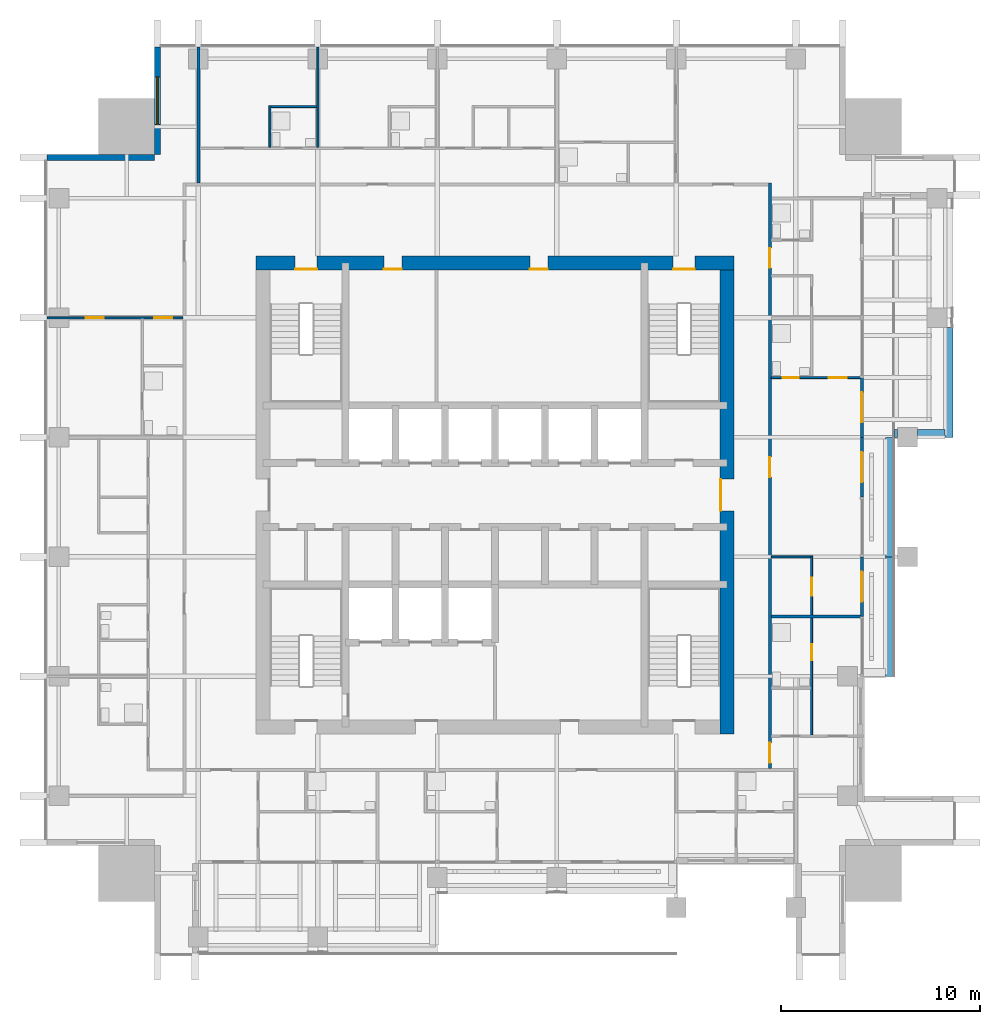
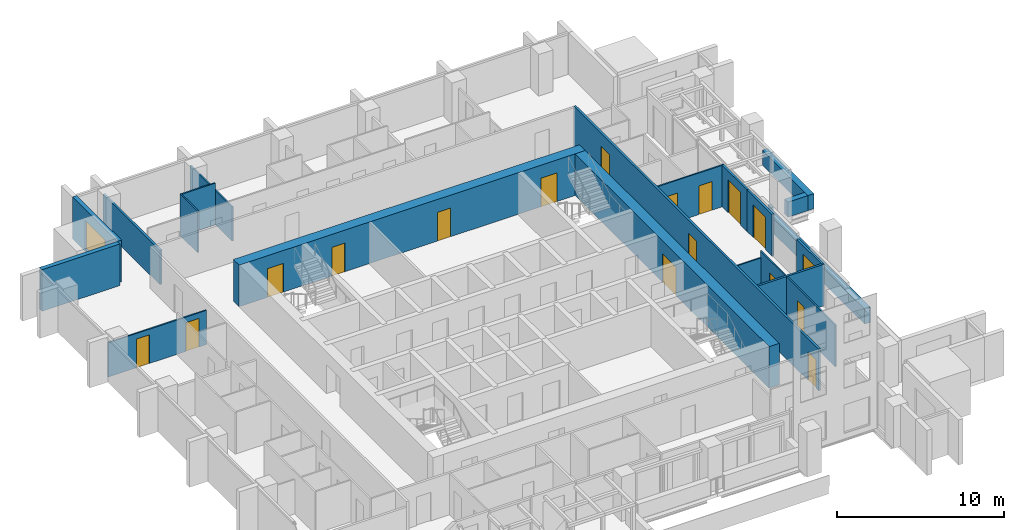
# One storey, part 11 of 16: 22 walls, 17 doors, 1 window, 18 openings.
"""IFC4 building model written with IfcOpenShell, lengths in metres."""

from ifc_helpers import new_model, si_unit, direction, frame, frame_2d, origin, place, context, subcontext, project, spatial, rectangle, extrude, material, layer, layer_set, type_object, element, fill, save


model = new_model("IFC4")

# Units and contexts
model_context = context("Model", 3, precision=1e-05, world=origin(), true_north=direction((0.0, 1.0)))
body_context = subcontext(model_context, "Body", "Model", "MODEL_VIEW")
ifc_project = project(units=[si_unit("LENGTHUNIT", "METRE"), si_unit("AREAUNIT", "SQUARE_METRE"), si_unit("VOLUMEUNIT", "CUBIC_METRE"), si_unit("PLANEANGLEUNIT", "RADIAN"), si_unit("MASSUNIT", "GRAM", prefix="KILO")], contexts=[model_context])

# Site, building, storey
site_placement = place(None, origin())
site = spatial("IfcSite", under=ifc_project, at=site_placement, CompositionType="ELEMENT")
building_placement = place(site_placement, origin())
building = spatial("IfcBuilding", under=site, at=building_placement, Name="Amberfall Residences", CompositionType="ELEMENT")
storey_placement = place(building_placement, frame((0.0, 0.0, 164.800048828125)))
storey = spatial("IfcBuildingStorey", under=building, at=storey_placement, Name="L44", CompositionType="ELEMENT", Elevation=164.800048828125)

# Wall, opening, window
ifc_material_1 = material(Name="Pale stone cladding on insulated backing", Category="masonry")
ifc_layer_1 = layer(ifc_material_1, 0.300048828125)
ifc_layer_set_1 = layer_set([ifc_layer_1], Name="Bronze clad wall 300")
wall_type_1 = type_object("IfcWallType", Name="Bronze clad wall 300", PredefinedType="SOLIDWALL", material=ifc_layer_set_1)
wall_1_placement = place(storey_placement, frame((57.550048828125, 68.0, 0.0), z_axis=(0.0, 0.0, 1.0), x_axis=(0.0, -1.0, 0.0)))
wall_1 = element("IfcWall", 1, at=wall_1_placement, inside=storey, type_object=wall_type_1, Name="External wall L44 NW", PredefinedType="SOLIDWALL", context=body_context, shape_type="SweptSolid", body=[
    extrude(rectangle(XDim=5.39990234375, YDim=0.300048828125, at=frame_2d((2.699951171875, 0.0))), origin(), (0.0, 0.0, 1.0), 3.050048828125),
])
opening_1_placement = place(wall_1_placement, frame((1.5, 0.0, 0.14990234375)))
opening_1 = element("IfcOpeningElement", 2, at=opening_1_placement, cuts=wall_1, Name="Opening WN5", PredefinedType="OPENING", context=body_context, shape_type="SweptSolid", body=[
    extrude(rectangle(XDim=2.39990234375, YDim=2.10009765625, at=frame_2d((1.199951171875, 1.050048828125))), frame((0.0, 0.159912109375, 0.0), z_axis=(0.0, -1.0, 0.0), x_axis=(1.0, 0.0, 0.0)), (0.0, 0.0, 1.0), 0.320068359375),
])
ifc_material_2 = material(Name="Bronze aluminium framed glazing", Category="aluminium")
window_type = type_object("IfcWindowType", Name="Glazed opening 2400 x 2100 bronze", PartitioningType="DOUBLE_PANEL_VERTICAL", PredefinedType="WINDOW", material=ifc_material_2)
window_placement = place(opening_1_placement, origin())
window = element("IfcWindow", 3, at=window_placement, inside=storey, type_object=window_type, Name="Window L44 NW", OverallHeight=2.10009765625, OverallWidth=2.39990234375, PartitioningType="DOUBLE_PANEL_VERTICAL", PredefinedType="WINDOW", context=body_context, shape_type="SweptSolid", body=[
    extrude(rectangle(XDim=2.39990234375, YDim=2.10009765625, at=frame_2d((1.199951171875, 1.050048828125))), frame((0.0, 0.030029296875, 0.0), z_axis=(0.0, -1.0, 0.0), x_axis=(1.0, 0.0, 0.0)), (0.0, 0.0, 1.0), 0.06005859375),
])
fill(opening_1, window)

# Wall
wall_2_placement = place(storey_placement, frame((57.39990234375, 62.449951171875, 0.0), z_axis=(0.0, 0.0, 1.0), x_axis=(-1.0, 0.0, 0.0)))
element("IfcWall", 4, at=wall_2_placement, inside=storey, type_object=wall_type_1, Name="External wall L44 NW", PredefinedType="SOLIDWALL", context=body_context, shape_type="SweptSolid", body=[
    extrude(rectangle(XDim=5.39990234375, YDim=0.300048828125, at=frame_2d((2.699951171875, 0.0))), origin(), (0.0, 0.0, 1.0), 3.050048828125),
])

# Wall, openings, doors
ifc_material_3 = material(Name="Concrete C60", Category="concrete")
ifc_layer_2 = layer(ifc_material_3, 0.699951171875)
ifc_layer_set_2 = layer_set([ifc_layer_2], Name="Core wall 700 C60")
wall_type_2 = type_object("IfcWallType", Name="Core wall 700 C60", PredefinedType="SHEAR", material=ifc_layer_set_2)
wall_3_placement = place(storey_placement, frame((62.5, 57.14990234375, 0.0), z_axis=(0.0, 0.0, 1.0), x_axis=(1.0, 0.0, 0.0)))
wall_3 = element("IfcWall", 5, at=wall_3_placement, inside=storey, type_object=wall_type_2, Name="Core wall RW5 L44 ON", PredefinedType="SHEAR", context=body_context, shape_type="SweptSolid", body=[
    extrude(rectangle(XDim=24.0, YDim=0.699951171875, at=frame_2d((12.0, 0.0))), origin(), (0.0, 0.0, 1.0), 3.050048828125),
])
opening_2_placement = place(wall_3_placement, frame((20.9375, 0.0, 0.0)))
opening_2 = element("IfcOpeningElement", 6, at=opening_2_placement, cuts=wall_3, Name="Opening SD1", PredefinedType="OPENING", context=body_context, shape_type="SweptSolid", body=[
    extrude(rectangle(XDim=1.10009765625, YDim=2.10009765625, at=frame_2d((0.550048828125, 1.050048828125))), frame((0.0, 0.35986328125, 0.0), z_axis=(0.0, -1.0, 0.0), x_axis=(1.0, 0.0, 0.0)), (0.0, 0.0, 1.0), 0.719970703125),
])
opening_3_placement = place(wall_3_placement, frame((1.96240234375, 0.0, 0.0)))
opening_3 = element("IfcOpeningElement", 7, at=opening_3_placement, cuts=wall_3, Name="Opening SD1", PredefinedType="OPENING", context=body_context, shape_type="SweptSolid", body=[
    extrude(rectangle(XDim=1.10009765625, YDim=2.10009765625, at=frame_2d((0.550048828125, 1.050048828125))), frame((0.0, 0.35986328125, 0.0), z_axis=(0.0, -1.0, 0.0), x_axis=(1.0, 0.0, 0.0)), (0.0, 0.0, 1.0), 0.719970703125),
])
opening_4_placement = place(wall_3_placement, frame((6.422607421875, 0.0, 0.0)))
opening_4 = element("IfcOpeningElement", 8, at=opening_4_placement, cuts=wall_3, Name="Opening RD1", PredefinedType="OPENING", context=body_context, shape_type="SweptSolid", body=[
    extrude(rectangle(XDim=0.89990234375, YDim=2.10009765625, at=frame_2d((0.449951171875, 1.050048828125))), frame((0.0, 0.35986328125, 0.0), z_axis=(0.0, -1.0, 0.0), x_axis=(1.0, 0.0, 0.0)), (0.0, 0.0, 1.0), 0.719970703125),
])
opening_5_placement = place(wall_3_placement, frame((13.74755859375, 0.0, 0.0)))
opening_5 = element("IfcOpeningElement", 9, at=opening_5_placement, cuts=wall_3, Name="Opening RD1", PredefinedType="OPENING", context=body_context, shape_type="SweptSolid", body=[
    extrude(rectangle(XDim=0.89990234375, YDim=2.10009765625, at=frame_2d((0.449951171875, 1.050048828125))), frame((0.0, 0.35986328125, 0.0), z_axis=(0.0, -1.0, 0.0), x_axis=(1.0, 0.0, 0.0)), (0.0, 0.0, 1.0), 0.719970703125),
])
ifc_material_4 = material(Name="Steel fire door set", Category="steel")
door_type_1 = type_object("IfcDoorType", Name="Service room door 900 x 2100", OperationType="SINGLE_SWING_LEFT", PredefinedType="DOOR", material=ifc_material_4)
door_1_placement = place(opening_4_placement, origin())
door_1 = element("IfcDoor", 10, at=door_1_placement, inside=storey, type_object=door_type_1, Name="RD1 L44", OperationType="SINGLE_SWING_RIGHT", OverallHeight=2.10009765625, OverallWidth=0.89990234375, PredefinedType="DOOR", context=body_context, shape_type="SweptSolid", body=[
    extrude(rectangle(XDim=0.89990234375, YDim=2.10009765625, at=frame_2d((0.449951171875, 1.050048828125))), frame((0.0, -0.28759765625, 0.0), z_axis=(0.0, -1.0, 0.0), x_axis=(1.0, 0.0, 0.0)), (0.0, 0.0, 1.0), 0.050048828125),
])
fill(opening_4, door_1)
door_2_placement = place(opening_5_placement, origin())
door_2 = element("IfcDoor", 11, at=door_2_placement, inside=storey, type_object=door_type_1, Name="RD1 L44", OperationType="SINGLE_SWING_RIGHT", OverallHeight=2.10009765625, OverallWidth=0.89990234375, PredefinedType="DOOR", context=body_context, shape_type="SweptSolid", body=[
    extrude(rectangle(XDim=0.89990234375, YDim=2.10009765625, at=frame_2d((0.449951171875, 1.050048828125))), frame((0.0, -0.28759765625, 0.0), z_axis=(0.0, -1.0, 0.0), x_axis=(1.0, 0.0, 0.0)), (0.0, 0.0, 1.0), 0.050048828125),
])
fill(opening_5, door_2)
door_type_2 = type_object("IfcDoorType", Name="Stair door 1100 x 2100", OperationType="SINGLE_SWING_LEFT", PredefinedType="DOOR", material=ifc_material_4)
door_3_placement = place(opening_2_placement, origin())
door_3 = element("IfcDoor", 12, at=door_3_placement, inside=storey, type_object=door_type_2, Name="SD1 L44", OperationType="SINGLE_SWING_RIGHT", OverallHeight=2.10009765625, OverallWidth=1.10009765625, PredefinedType="DOOR", context=body_context, shape_type="SweptSolid", body=[
    extrude(rectangle(XDim=1.10009765625, YDim=2.10009765625, at=frame_2d((0.550048828125, 1.050048828125))), frame((0.0, -0.28759765625, 0.0), z_axis=(0.0, -1.0, 0.0), x_axis=(1.0, 0.0, 0.0)), (0.0, 0.0, 1.0), 0.050048828125),
])
fill(opening_2, door_3)
door_4_placement = place(opening_3_placement, origin())
door_4 = element("IfcDoor", 13, at=door_4_placement, inside=storey, type_object=door_type_2, Name="SD1 L44", OperationType="SINGLE_SWING_LEFT", OverallHeight=2.10009765625, OverallWidth=1.10009765625, PredefinedType="DOOR", context=body_context, shape_type="SweptSolid", body=[
    extrude(rectangle(XDim=1.10009765625, YDim=2.10009765625, at=frame_2d((0.550048828125, 1.050048828125))), frame((0.0, -0.28759765625, 0.0), z_axis=(0.0, -1.0, 0.0), x_axis=(1.0, 0.0, 0.0)), (0.0, 0.0, 1.0), 0.050048828125),
])
fill(opening_3, door_4)

# Wall, opening, door
wall_4_placement = place(storey_placement, frame((86.14990234375, 33.5, 0.0), z_axis=(0.0, 0.0, 1.0), x_axis=(0.0, 1.0, 0.0)))
wall_4 = element("IfcWall", 14, at=wall_4_placement, inside=storey, type_object=wall_type_2, Name="Core wall RW5 L44 OE", PredefinedType="SHEAR", context=body_context, shape_type="SweptSolid", body=[
    extrude(rectangle(XDim=24.0, YDim=0.699951171875, at=frame_2d((12.0, 0.0))), origin(), (0.0, 0.0, 1.0), 3.050048828125),
])
opening_6_placement = place(wall_4_placement, frame((11.199951171875, 0.0, 0.0)))
opening_6 = element("IfcOpeningElement", 15, at=opening_6_placement, cuts=wall_4, Name="Opening LB1", PredefinedType="OPENING", context=body_context, shape_type="SweptSolid", body=[
    extrude(rectangle(XDim=1.60009765625, YDim=2.10009765625, at=frame_2d((0.800048828125, 1.050048828125))), frame((0.0, 0.35986328125, 0.0), z_axis=(0.0, -1.0, 0.0), x_axis=(1.0, 0.0, 0.0)), (0.0, 0.0, 1.0), 0.719970703125),
])
door_type_3 = type_object("IfcDoorType", Name="Lift lobby double door 1600 x 2100", OperationType="DOUBLE_DOOR_SINGLE_SWING", PredefinedType="DOOR", material=ifc_material_4)
door_5_placement = place(opening_6_placement, origin())
door_5 = element("IfcDoor", 16, at=door_5_placement, inside=storey, type_object=door_type_3, Name="LB1 L44", OperationType="DOUBLE_DOOR_SINGLE_SWING", OverallHeight=2.10009765625, OverallWidth=1.60009765625, PredefinedType="DOOR", context=body_context, shape_type="SweptSolid", body=[
    extrude(rectangle(XDim=1.60009765625, YDim=2.10009765625, at=frame_2d((0.800048828125, 1.050048828125))), frame((0.0, 0.33740234375, 0.0), z_axis=(0.0, -1.0, 0.0), x_axis=(1.0, 0.0, 0.0)), (0.0, 0.0, 1.0), 0.050048828125),
])
fill(opening_6, door_5)

# Walls
ifc_material_5 = material(Name="Gypsum board on metal stud")
ifc_layer_3 = layer(ifc_material_5, 0.10009765625)
ifc_layer_set_3 = layer_set([ifc_layer_3], Name="Flat partition 100")
wall_type_3 = type_object("IfcWallType", Name="Flat partition 100", PredefinedType="PARTITIONING", material=ifc_layer_set_3)
wall_5_placement = place(storey_placement, frame((63.199951171875, 62.949951171875, 0.0), z_axis=(0.0, 0.0, 1.0), x_axis=(0.0, 1.0, 0.0)))
element("IfcWall", 17, at=wall_5_placement, inside=storey, type_object=wall_type_3, Name="Partition 006", PredefinedType="PARTITIONING", context=body_context, shape_type="SweptSolid", body=[
    extrude(rectangle(XDim=2.10009765625, YDim=0.10009765625, at=frame_2d((1.050048828125, 0.0))), origin(), (0.0, 0.0, 1.0), 3.050048828125),
])
wall_6_placement = place(storey_placement, frame((65.60009765625, 62.949951171875, 0.0), z_axis=(0.0, 0.0, 1.0), x_axis=(0.0, 1.0, 0.0)))
element("IfcWall", 18, at=wall_6_placement, inside=storey, type_object=wall_type_3, Name="Partition 008", PredefinedType="PARTITIONING", context=body_context, shape_type="SweptSolid", body=[
    extrude(rectangle(XDim=5.050048828125, YDim=0.10009765625, at=frame_2d((2.52490234375, 0.0))), origin(), (0.0, 0.0, 1.0), 2.515869140625),
])

# Wall, openings, doors
wall_7_placement = place(storey_placement, frame((90.39990234375, 33.449951171875, 0.0), z_axis=(0.0, 0.0, 1.0), x_axis=(0.0, 1.0, 0.0)))
wall_7 = element("IfcWall", 19, at=wall_7_placement, inside=storey, type_object=wall_type_3, Name="Partition 019", PredefinedType="PARTITIONING", context=body_context, shape_type="SweptSolid", body=[
    extrude(rectangle(XDim=9.0, YDim=0.10009765625, at=frame_2d((4.5, 0.0))), origin(), (0.0, 0.0, 1.0), 3.050048828125),
])
opening_7_placement = place(wall_7_placement, frame((3.75, 0.0, 0.0)))
opening_7 = element("IfcOpeningElement", 20, at=opening_7_placement, cuts=wall_7, Name="Opening D42", PredefinedType="OPENING", context=body_context, shape_type="SweptSolid", body=[
    extrude(rectangle(XDim=0.800048828125, YDim=2.10009765625, at=frame_2d((0.39990234375, 1.050048828125))), frame((0.0, 0.06005859375, 0.0), z_axis=(0.0, -1.0, 0.0), x_axis=(1.0, 0.0, 0.0)), (0.0, 0.0, 1.0), 0.1201171875),
])
opening_8_placement = place(wall_7_placement, frame((7.0, 0.0, 0.0)))
opening_8 = element("IfcOpeningElement", 21, at=opening_8_placement, cuts=wall_7, Name="Opening D41", PredefinedType="OPENING", context=body_context, shape_type="SweptSolid", body=[
    extrude(rectangle(XDim=0.89990234375, YDim=2.10009765625, at=frame_2d((0.449951171875, 1.050048828125))), frame((0.0, 0.06005859375, 0.0), z_axis=(0.0, -1.0, 0.0), x_axis=(1.0, 0.0, 0.0)), (0.0, 0.0, 1.0), 0.1201171875),
])
ifc_material_6 = material(Name="Timber", Category="wood")
door_type_4 = type_object("IfcDoorType", Name="Bathroom door 800 x 2100", OperationType="SINGLE_SWING_LEFT", PredefinedType="DOOR", material=ifc_material_6)
door_6_placement = place(opening_7_placement, origin())
door_6 = element("IfcDoor", 22, at=door_6_placement, inside=storey, type_object=door_type_4, Name="Door 4403 bath1", OperationType="SINGLE_SWING_LEFT", OverallHeight=2.10009765625, OverallWidth=0.800048828125, PredefinedType="DOOR", context=body_context, shape_type="SweptSolid", body=[
    extrude(rectangle(XDim=0.800048828125, YDim=2.10009765625, at=frame_2d((0.39990234375, 1.050048828125))), frame((0.0, 0.02490234375, 0.0), z_axis=(0.0, -1.0, 0.0), x_axis=(1.0, 0.0, 0.0)), (0.0, 0.0, 1.0), 0.050048828125),
])
fill(opening_7, door_6)
door_type_5 = type_object("IfcDoorType", Name="Internal door 900 x 2100", OperationType="SINGLE_SWING_LEFT", PredefinedType="DOOR", material=ifc_material_6)
door_7_placement = place(opening_8_placement, origin())
door_7 = element("IfcDoor", 23, at=door_7_placement, inside=storey, type_object=door_type_5, Name="Door 4404 kitchen", OperationType="SINGLE_SWING_LEFT", OverallHeight=2.10009765625, OverallWidth=0.89990234375, PredefinedType="DOOR", context=body_context, shape_type="SweptSolid", body=[
    extrude(rectangle(XDim=0.89990234375, YDim=2.10009765625, at=frame_2d((0.449951171875, 1.050048828125))), frame((0.0, 0.02490234375, 0.0), z_axis=(0.0, -1.0, 0.0), x_axis=(1.0, 0.0, 0.0)), (0.0, 0.0, 1.0), 0.050048828125),
])
fill(opening_8, door_7)

# Wall
wall_8_placement = place(storey_placement, frame((63.25, 65.0, 0.0), z_axis=(0.0, 0.0, 1.0), x_axis=(1.0, 0.0, 0.0)))
element("IfcWall", 24, at=wall_8_placement, inside=storey, type_object=wall_type_3, Name="Partition 022", PredefinedType="PARTITIONING", context=body_context, shape_type="SweptSolid", body=[
    extrude(rectangle(XDim=2.300048828125, YDim=0.10009765625, at=frame_2d((1.14990234375, 0.0))), origin(), (0.0, 0.0, 1.0), 3.050048828125),
])

# Wall, openings, doors
wall_9_placement = place(storey_placement, frame((58.824951171875, 54.39990234375, 0.0), z_axis=(0.0, 0.0, 1.0), x_axis=(-1.0, 0.0, 0.0)))
wall_9 = element("IfcWall", 25, at=wall_9_placement, inside=storey, type_object=wall_type_3, Name="Partition 029", PredefinedType="PARTITIONING", context=body_context, shape_type="SweptSolid", body=[
    extrude(rectangle(XDim=6.824951171875, YDim=0.10009765625, at=frame_2d((3.41259765625, 0.0))), origin(), (0.0, 0.0, 1.0), 2.515869140625),
])
opening_9_placement = place(wall_9_placement, frame((0.52490234375, 0.0, 0.0)))
opening_9 = element("IfcOpeningElement", 26, at=opening_9_placement, cuts=wall_9, Name="Opening D41", PredefinedType="OPENING", context=body_context, shape_type="SweptSolid", body=[
    extrude(rectangle(XDim=0.89990234375, YDim=2.10009765625, at=frame_2d((0.449951171875, 1.050048828125))), frame((0.0, 0.06005859375, 0.0), z_axis=(0.0, -1.0, 0.0), x_axis=(1.0, 0.0, 0.0)), (0.0, 0.0, 1.0), 0.1201171875),
])
opening_10_placement = place(wall_9_placement, frame((3.97509765625, 0.0, 0.0)))
opening_10 = element("IfcOpeningElement", 27, at=opening_10_placement, cuts=wall_9, Name="Opening D41", PredefinedType="OPENING", context=body_context, shape_type="SweptSolid", body=[
    extrude(rectangle(XDim=0.89990234375, YDim=2.10009765625, at=frame_2d((0.449951171875, 1.050048828125))), frame((0.0, 0.06005859375, 0.0), z_axis=(0.0, -1.0, 0.0), x_axis=(1.0, 0.0, 0.0)), (0.0, 0.0, 1.0), 0.1201171875),
])
door_8_placement = place(opening_9_placement, origin())
door_8 = element("IfcDoor", 28, at=door_8_placement, inside=storey, type_object=door_type_5, Name="Door 4409 kitchen", OperationType="SINGLE_SWING_LEFT", OverallHeight=2.10009765625, OverallWidth=0.89990234375, PredefinedType="DOOR", context=body_context, shape_type="SweptSolid", body=[
    extrude(rectangle(XDim=0.89990234375, YDim=2.10009765625, at=frame_2d((0.449951171875, 1.050048828125))), frame((0.0, 0.02490234375, 0.0), z_axis=(0.0, -1.0, 0.0), x_axis=(1.0, 0.0, 0.0)), (0.0, 0.0, 1.0), 0.050048828125),
])
fill(opening_9, door_8)
door_9_placement = place(opening_10_placement, origin())
door_9 = element("IfcDoor", 29, at=door_9_placement, inside=storey, type_object=door_type_5, Name="Door 4409 bedroom1", OperationType="SINGLE_SWING_LEFT", OverallHeight=2.10009765625, OverallWidth=0.89990234375, PredefinedType="DOOR", context=body_context, shape_type="SweptSolid", body=[
    extrude(rectangle(XDim=0.89990234375, YDim=2.10009765625, at=frame_2d((0.449951171875, 1.050048828125))), frame((0.0, 0.02490234375, 0.0), z_axis=(0.0, -1.0, 0.0), x_axis=(1.0, 0.0, 0.0)), (0.0, 0.0, 1.0), 0.050048828125),
])
fill(opening_10, door_9)

wall_10_placement = place(storey_placement, frame((88.375, 51.39990234375, 0.0), z_axis=(0.0, 0.0, 1.0), x_axis=(1.0, 0.0, 0.0)))
wall_10 = element("IfcWall", 30, at=wall_10_placement, inside=storey, type_object=wall_type_3, Name="Partition 031", PredefinedType="PARTITIONING", context=body_context, shape_type="SweptSolid", body=[
    extrude(rectangle(XDim=4.625, YDim=0.10009765625, at=frame_2d((2.3125, 0.0))), origin(), (0.0, 0.0, 1.0), 3.050048828125),
])
opening_11_placement = place(wall_10_placement, frame((2.875, 0.0, 0.0)))
opening_11 = element("IfcOpeningElement", 31, at=opening_11_placement, cuts=wall_10, Name="Opening D41", PredefinedType="OPENING", context=body_context, shape_type="SweptSolid", body=[
    extrude(rectangle(XDim=0.89990234375, YDim=2.10009765625, at=frame_2d((0.449951171875, 1.050048828125))), frame((0.0, 0.06005859375, 0.0), z_axis=(0.0, -1.0, 0.0), x_axis=(1.0, 0.0, 0.0)), (0.0, 0.0, 1.0), 0.1201171875),
])
opening_12_placement = place(wall_10_placement, frame((0.574951171875, 0.0, 0.0)))
opening_12 = element("IfcOpeningElement", 32, at=opening_12_placement, cuts=wall_10, Name="Opening D42", PredefinedType="OPENING", context=body_context, shape_type="SweptSolid", body=[
    extrude(rectangle(XDim=0.800048828125, YDim=2.10009765625, at=frame_2d((0.39990234375, 1.050048828125))), frame((0.0, 0.06005859375, 0.0), z_axis=(0.0, -1.0, 0.0), x_axis=(1.0, 0.0, 0.0)), (0.0, 0.0, 1.0), 0.1201171875),
])
door_10_placement = place(opening_12_placement, origin())
door_10 = element("IfcDoor", 33, at=door_10_placement, inside=storey, type_object=door_type_4, Name="Door 4404 bath1", OperationType="SINGLE_SWING_LEFT", OverallHeight=2.10009765625, OverallWidth=0.800048828125, PredefinedType="DOOR", context=body_context, shape_type="SweptSolid", body=[
    extrude(rectangle(XDim=0.800048828125, YDim=2.10009765625, at=frame_2d((0.39990234375, 1.050048828125))), frame((0.0, 0.02490234375, 0.0), z_axis=(0.0, -1.0, 0.0), x_axis=(1.0, 0.0, 0.0)), (0.0, 0.0, 1.0), 0.050048828125),
])
fill(opening_12, door_10)
door_11_placement = place(opening_11_placement, origin())
door_11 = element("IfcDoor", 34, at=door_11_placement, inside=storey, type_object=door_type_5, Name="Door 4404 bedroom1", OperationType="SINGLE_SWING_LEFT", OverallHeight=2.10009765625, OverallWidth=0.89990234375, PredefinedType="DOOR", context=body_context, shape_type="SweptSolid", body=[
    extrude(rectangle(XDim=0.89990234375, YDim=2.10009765625, at=frame_2d((0.449951171875, 1.050048828125))), frame((0.0, 0.02490234375, 0.0), z_axis=(0.0, -1.0, 0.0), x_axis=(1.0, 0.0, 0.0)), (0.0, 0.0, 1.0), 0.050048828125),
])
fill(opening_11, door_11)

# Walls
wall_11_placement = place(storey_placement, frame((88.375, 42.39990234375, 0.0), z_axis=(0.0, 0.0, 1.0), x_axis=(1.0, 0.0, 0.0)))
element("IfcWall", 35, at=wall_11_placement, inside=storey, type_object=wall_type_3, Name="Partition 034", PredefinedType="PARTITIONING", context=body_context, shape_type="SweptSolid", body=[
    extrude(rectangle(XDim=1.97509765625, YDim=0.10009765625, at=frame_2d((0.987548828125, 0.0))), origin(), (0.0, 0.0, 1.0), 2.58984375),
])
ifc_material_7 = material(Name="Blockwork, plastered", Category="masonry")
ifc_layer_4 = layer(ifc_material_7, 0.14990234375)
ifc_layer_set_4 = layer_set([ifc_layer_4], Name="Flat separating wall 150")
wall_type_4 = type_object("IfcWallType", Name="Flat separating wall 150", PredefinedType="PARTITIONING", material=ifc_layer_set_4)
wall_12_placement = place(storey_placement, frame((59.60009765625, 61.175048828125, 0.0), z_axis=(0.0, 0.0, 1.0), x_axis=(0.0, 1.0, 0.0)))
element("IfcWall", 36, at=wall_12_placement, inside=storey, type_object=wall_type_4, Name="Separating wall 046", PredefinedType="PARTITIONING", context=body_context, shape_type="SweptSolid", body=[
    extrude(rectangle(XDim=6.824951171875, YDim=0.14990234375, at=frame_2d((3.41259765625, 0.0))), origin(), (0.0, 0.0, 1.0), 2.510009765625),
])

# Wall, openings, doors
wall_13_placement = place(storey_placement, frame((88.300048828125, 61.175048828125, 0.0), z_axis=(0.0, 0.0, 1.0), x_axis=(0.0, -1.0, 0.0)))
wall_13 = element("IfcWall", 37, at=wall_13_placement, inside=storey, type_object=wall_type_4, Name="Separating wall 049", PredefinedType="PARTITIONING", context=body_context, shape_type="SweptSolid", body=[
    extrude(rectangle(XDim=29.400146484375, YDim=0.14990234375, at=frame_2d((14.7001953125, 0.0))), origin(), (0.0, 0.0, 1.0), 3.050048828125),
])
opening_13_placement = place(wall_13_placement, frame((28.125, 0.0, 0.0)))
opening_13 = element("IfcOpeningElement", 38, at=opening_13_placement, cuts=wall_13, Name="Opening D40", PredefinedType="OPENING", context=body_context, shape_type="SweptSolid", body=[
    extrude(rectangle(XDim=1.0, YDim=2.10009765625, at=frame_2d((0.5, 1.050048828125))), frame((0.0, 0.0849609375, 0.0), z_axis=(0.0, -1.0, 0.0), x_axis=(1.0, 0.0, 0.0)), (0.0, 0.0, 1.0), 0.169921875),
])
opening_14_placement = place(wall_13_placement, frame((13.77490234375, 0.0, 0.0)))
opening_14 = element("IfcOpeningElement", 39, at=opening_14_placement, cuts=wall_13, Name="Opening D40", PredefinedType="OPENING", context=body_context, shape_type="SweptSolid", body=[
    extrude(rectangle(XDim=1.0, YDim=2.10009765625, at=frame_2d((0.5, 1.050048828125))), frame((0.0, 0.0849609375, 0.0), z_axis=(0.0, -1.0, 0.0), x_axis=(1.0, 0.0, 0.0)), (0.0, 0.0, 1.0), 0.169921875),
])
opening_15_placement = place(wall_13_placement, frame((3.27490234375, 0.0, 0.0)))
opening_15 = element("IfcOpeningElement", 40, at=opening_15_placement, cuts=wall_13, Name="Opening D40", PredefinedType="OPENING", context=body_context, shape_type="SweptSolid", body=[
    extrude(rectangle(XDim=1.0, YDim=2.10009765625, at=frame_2d((0.5, 1.050048828125))), frame((0.0, 0.0849609375, 0.0), z_axis=(0.0, -1.0, 0.0), x_axis=(1.0, 0.0, 0.0)), (0.0, 0.0, 1.0), 0.169921875),
])
ifc_material_8 = material(Name="Timber, fire-rated", Category="wood")
door_type_6 = type_object("IfcDoorType", Name="Flat entrance door FD60 1000 x 2100", OperationType="SINGLE_SWING_LEFT", PredefinedType="DOOR", material=ifc_material_8)
door_12_placement = place(opening_13_placement, origin())
door_12 = element("IfcDoor", 41, at=door_12_placement, inside=storey, type_object=door_type_6, Name="Door 4403 entrance", OperationType="SINGLE_SWING_LEFT", OverallHeight=2.10009765625, OverallWidth=1.0, PredefinedType="DOOR", context=body_context, shape_type="SweptSolid", body=[
    extrude(rectangle(XDim=1.0, YDim=2.10009765625, at=frame_2d((0.5, 1.050048828125))), frame((0.0, 0.02490234375, 0.0), z_axis=(0.0, -1.0, 0.0), x_axis=(1.0, 0.0, 0.0)), (0.0, 0.0, 1.0), 0.050048828125),
])
fill(opening_13, door_12)
door_13_placement = place(opening_14_placement, origin())
door_13 = element("IfcDoor", 42, at=door_13_placement, inside=storey, type_object=door_type_6, Name="Door 4404 entrance", OperationType="SINGLE_SWING_LEFT", OverallHeight=2.10009765625, OverallWidth=1.0, PredefinedType="DOOR", context=body_context, shape_type="SweptSolid", body=[
    extrude(rectangle(XDim=1.0, YDim=2.10009765625, at=frame_2d((0.5, 1.050048828125))), frame((0.0, 0.02490234375, 0.0), z_axis=(0.0, -1.0, 0.0), x_axis=(1.0, 0.0, 0.0)), (0.0, 0.0, 1.0), 0.050048828125),
])
fill(opening_14, door_13)
door_14_placement = place(opening_15_placement, origin())
door_14 = element("IfcDoor", 43, at=door_14_placement, inside=storey, type_object=door_type_6, Name="Door 4405 entrance", OperationType="SINGLE_SWING_LEFT", OverallHeight=2.10009765625, OverallWidth=1.0, PredefinedType="DOOR", context=body_context, shape_type="SweptSolid", body=[
    extrude(rectangle(XDim=1.0, YDim=2.10009765625, at=frame_2d((0.5, 1.050048828125))), frame((0.0, 0.02490234375, 0.0), z_axis=(0.0, -1.0, 0.0), x_axis=(1.0, 0.0, 0.0)), (0.0, 0.0, 1.0), 0.050048828125),
])
fill(opening_15, door_14)

# Wall
wall_14_placement = place(storey_placement, frame((88.375, 39.39990234375, 0.0), z_axis=(0.0, 0.0, 1.0), x_axis=(1.0, 0.0, 0.0)))
element("IfcWall", 44, at=wall_14_placement, inside=storey, type_object=wall_type_4, Name="Separating wall 055", PredefinedType="PARTITIONING", context=body_context, shape_type="SweptSolid", body=[
    extrude(rectangle(XDim=4.625, YDim=0.14990234375, at=frame_2d((2.3125, 0.0))), origin(), (0.0, 0.0, 1.0), 3.050048828125),
])

# Wall, opening, door
ifc_layer_5 = layer(ifc_material_1, 0.14990234375)
ifc_layer_set_5 = layer_set([ifc_layer_5], Name="Terrace door infill wall 150")
wall_type_5 = type_object("IfcWallType", Name="Terrace door infill wall 150", PredefinedType="SOLIDWALL", material=ifc_layer_set_5)
wall_15_placement = place(storey_placement, frame((92.925048828125, 39.39990234375, 0.0), z_axis=(0.0, 0.0, 1.0), x_axis=(0.0, 1.0, 0.0)))
wall_15 = element("IfcWall", 45, at=wall_15_placement, inside=storey, type_object=wall_type_5, Name="Terrace door wall L44 E2", PredefinedType="SOLIDWALL", context=body_context, shape_type="SweptSolid", body=[
    extrude(rectangle(XDim=3.0, YDim=0.14990234375, at=frame_2d((1.5, 0.0))), origin(), (0.0, 0.0, 1.0), 3.050048828125),
])
opening_16_placement = place(wall_15_placement, frame((0.75, 0.0, 0.0)))
opening_16 = element("IfcOpeningElement", 46, at=opening_16_placement, cuts=wall_15, Name="Opening TD2", PredefinedType="OPENING", context=body_context, shape_type="SweptSolid", body=[
    extrude(rectangle(XDim=1.5, YDim=2.39990234375, at=frame_2d((0.75, 1.199951171875))), frame((0.0, 0.0849609375, 0.0), z_axis=(0.0, -1.0, 0.0), x_axis=(1.0, 0.0, 0.0)), (0.0, 0.0, 1.0), 0.169921875),
])
ifc_material_9 = material(Name="Bronze aluminium framed glazed door", Category="aluminium")
door_type_7 = type_object("IfcDoorType", Name="Terrace sliding door 1500 x 2400", OperationType="DOUBLE_DOOR_SLIDING", PredefinedType="DOOR", material=ifc_material_9)
door_15_placement = place(opening_16_placement, origin())
door_15 = element("IfcDoor", 47, at=door_15_placement, inside=storey, type_object=door_type_7, Name="Terrace door TD2", OperationType="DOUBLE_DOOR_SLIDING", OverallHeight=2.39990234375, OverallWidth=1.5, PredefinedType="DOOR", context=body_context, shape_type="SweptSolid", body=[
    extrude(rectangle(XDim=1.5, YDim=2.39990234375, at=frame_2d((0.75, 1.199951171875))), frame((0.0, 0.02490234375, 0.0), z_axis=(0.0, -1.0, 0.0), x_axis=(1.0, 0.0, 0.0)), (0.0, 0.0, 1.0), 0.050048828125),
])
fill(opening_16, door_15)

wall_16_placement = place(storey_placement, frame((92.925048828125, 45.39990234375, 0.0), z_axis=(0.0, 0.0, 1.0), x_axis=(0.0, 1.0, 0.0)))
wall_16 = element("IfcWall", 48, at=wall_16_placement, inside=storey, type_object=wall_type_5, Name="Terrace door wall L44 E3", PredefinedType="SOLIDWALL", context=body_context, shape_type="SweptSolid", body=[
    extrude(rectangle(XDim=3.0, YDim=0.14990234375, at=frame_2d((1.5, 0.0))), origin(), (0.0, 0.0, 1.0), 3.050048828125),
])
opening_17_placement = place(wall_16_placement, frame((0.75, 0.0, 0.0)))
opening_17 = element("IfcOpeningElement", 49, at=opening_17_placement, cuts=wall_16, Name="Opening TD2", PredefinedType="OPENING", context=body_context, shape_type="SweptSolid", body=[
    extrude(rectangle(XDim=1.5, YDim=2.39990234375, at=frame_2d((0.75, 1.199951171875))), frame((0.0, 0.0849609375, 0.0), z_axis=(0.0, -1.0, 0.0), x_axis=(1.0, 0.0, 0.0)), (0.0, 0.0, 1.0), 0.169921875),
])
door_16_placement = place(opening_17_placement, origin())
door_16 = element("IfcDoor", 50, at=door_16_placement, inside=storey, type_object=door_type_7, Name="Terrace door TD2", OperationType="DOUBLE_DOOR_SLIDING", OverallHeight=2.39990234375, OverallWidth=1.5, PredefinedType="DOOR", context=body_context, shape_type="SweptSolid", body=[
    extrude(rectangle(XDim=1.5, YDim=2.39990234375, at=frame_2d((0.75, 1.199951171875))), frame((0.0, 0.02490234375, 0.0), z_axis=(0.0, -1.0, 0.0), x_axis=(1.0, 0.0, 0.0)), (0.0, 0.0, 1.0), 0.050048828125),
])
fill(opening_17, door_16)

wall_17_placement = place(storey_placement, frame((92.925048828125, 48.39990234375, 0.0), z_axis=(0.0, 0.0, 1.0), x_axis=(0.0, 1.0, 0.0)))
wall_17 = element("IfcWall", 51, at=wall_17_placement, inside=storey, type_object=wall_type_5, Name="Terrace door wall L44 E4", PredefinedType="SOLIDWALL", context=body_context, shape_type="SweptSolid", body=[
    extrude(rectangle(XDim=3.0, YDim=0.14990234375, at=frame_2d((1.5, 0.0))), origin(), (0.0, 0.0, 1.0), 3.050048828125),
])
opening_18_placement = place(wall_17_placement, frame((0.75, 0.0, 0.0)))
opening_18 = element("IfcOpeningElement", 52, at=opening_18_placement, cuts=wall_17, Name="Opening TD2", PredefinedType="OPENING", context=body_context, shape_type="SweptSolid", body=[
    extrude(rectangle(XDim=1.5, YDim=2.39990234375, at=frame_2d((0.75, 1.199951171875))), frame((0.0, 0.0849609375, 0.0), z_axis=(0.0, -1.0, 0.0), x_axis=(1.0, 0.0, 0.0)), (0.0, 0.0, 1.0), 0.169921875),
])
door_17_placement = place(opening_18_placement, origin())
door_17 = element("IfcDoor", 53, at=door_17_placement, inside=storey, type_object=door_type_7, Name="Terrace door TD2", OperationType="DOUBLE_DOOR_SLIDING", OverallHeight=2.39990234375, OverallWidth=1.5, PredefinedType="DOOR", context=body_context, shape_type="SweptSolid", body=[
    extrude(rectangle(XDim=1.5, YDim=2.39990234375, at=frame_2d((0.75, 1.199951171875))), frame((0.0, 0.02490234375, 0.0), z_axis=(0.0, -1.0, 0.0), x_axis=(1.0, 0.0, 0.0)), (0.0, 0.0, 1.0), 0.050048828125),
])
fill(opening_18, door_17)

# Walls
ifc_material_10 = material(Name="Pale stone faced Concrete C40", Category="masonry")
ifc_layer_6 = layer(ifc_material_10, 0.39990234375)
ifc_layer_set_6 = layer_set([ifc_layer_6], Name="Terrace parapet wall 400")
wall_type_6 = type_object("IfcWallType", Name="Terrace parapet wall 400", PredefinedType="PARAPET", material=ifc_layer_set_6)
for number, where, z_axis, x_axis, name in (
    (54, (94.300048828125, 36.39990234375, 0.030029296875), (0.0, 0.0, 1.0), (0.0, 1.0, 0.0), "Terrace parapet L44 E2"),
    (55, (94.300048828125, 42.39990234375, 0.030029296875), (0.0, 0.0, 1.0), (0.0, 1.0, 0.0), "Terrace parapet L44 E3"),
):
    element("IfcWall", number, at=place(storey_placement, frame(where, z_axis=z_axis, x_axis=x_axis)), inside=storey, type_object=wall_type_6, Name=name, PredefinedType="PARAPET", context=body_context, shape_type="SweptSolid", body=[
        extrude(rectangle(XDim=6.0, YDim=0.39990234375, at=frame_2d((3.0, 0.0))), origin(), (0.0, 0.0, 1.0), 1.099853515625),
    ])
wall_18_placement = place(storey_placement, frame((97.300048828125, 48.39990234375, 0.030029296875), z_axis=(0.0, 0.0, 1.0), x_axis=(0.0, 1.0, 0.0)))
element("IfcWall", 56, at=wall_18_placement, inside=storey, type_object=wall_type_6, Name="Terrace parapet L44 E4", PredefinedType="PARAPET", context=body_context, shape_type="SweptSolid", body=[
    extrude(rectangle(XDim=5.5, YDim=0.39990234375, at=frame_2d((2.75, 0.0))), origin(), (0.0, 0.0, 1.0), 1.099853515625),
])
wall_19_placement = place(storey_placement, frame((94.550048828125, 48.60009765625, 0.030029296875), z_axis=(0.0, 0.0, 1.0), x_axis=(1.0, 0.0, 0.0)))
element("IfcWall", 57, at=wall_19_placement, inside=storey, type_object=wall_type_6, Name="Terrace parapet L44 E4 return", PredefinedType="PARAPET", context=body_context, shape_type="SweptSolid", body=[
    extrude(rectangle(XDim=0.14990234375, YDim=0.39990234375, at=frame_2d((0.074951171875, 0.0))), origin(), (0.0, 0.0, 1.0), 1.099853515625),
])
wall_20_placement = place(storey_placement, frame((95.699951171875, 48.60009765625, 0.030029296875), z_axis=(0.0, 0.0, 1.0), x_axis=(1.0, 0.0, 0.0)))
element("IfcWall", 58, at=wall_20_placement, inside=storey, type_object=wall_type_6, Name="Terrace parapet L44 E4 return", PredefinedType="PARAPET", context=body_context, shape_type="SweptSolid", body=[
    extrude(rectangle(XDim=1.400146484375, YDim=0.39990234375, at=frame_2d((0.7001953125, 0.0))), origin(), (0.0, 0.0, 1.0), 1.099853515625),
])

save(model, "model.ifc")
